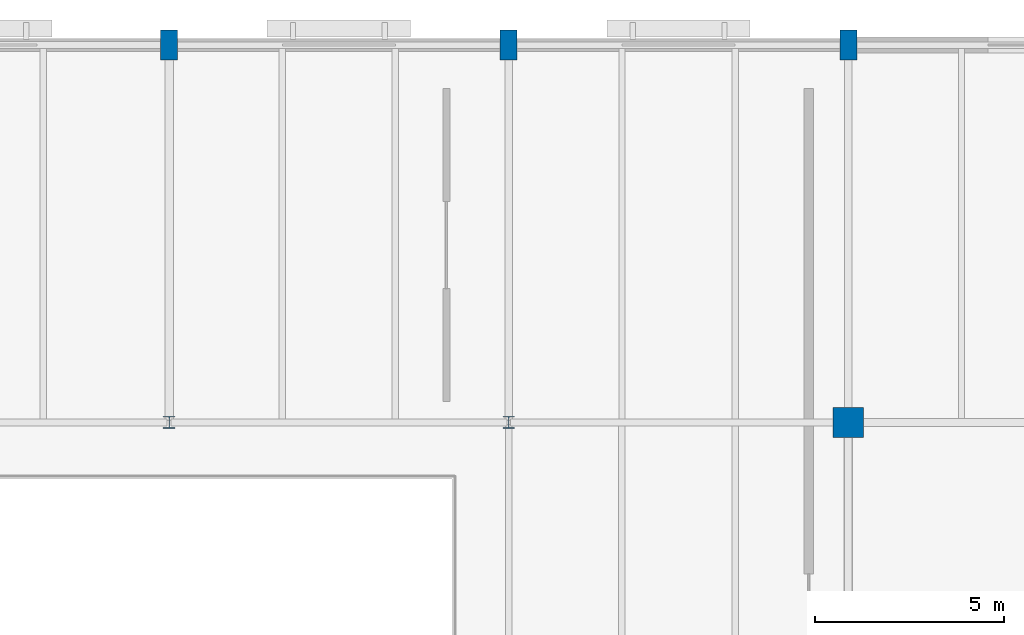
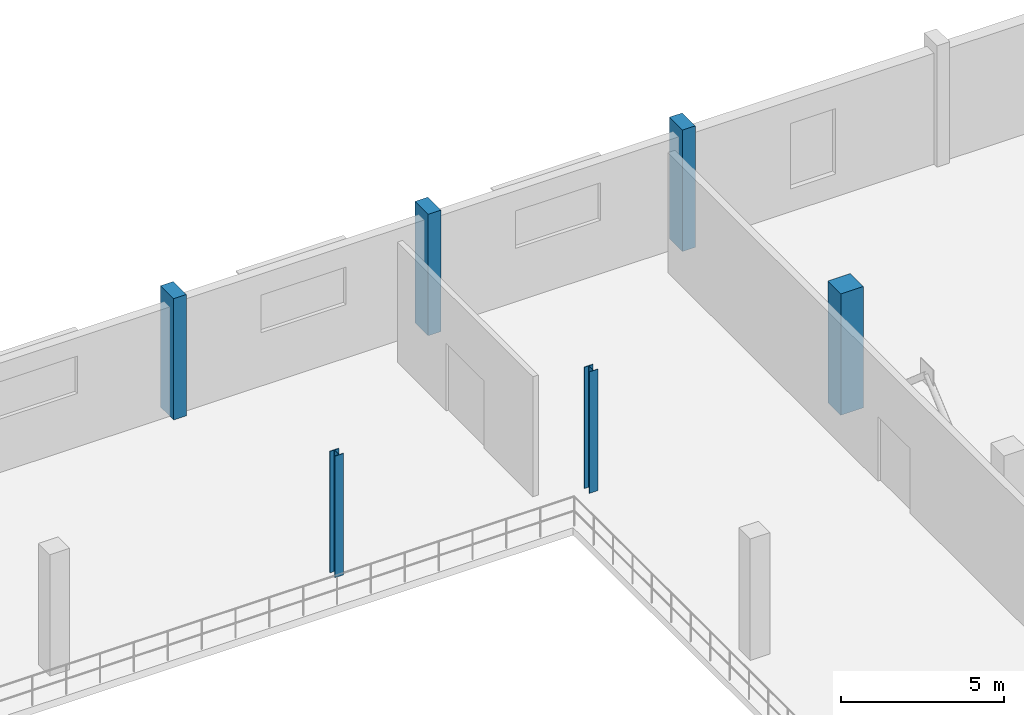
# One storey, part 15 of 93: 6 columns.
"""IFC4 building model written with IfcOpenShell, lengths in metres."""

from ifc_helpers import new_model, si_unit, direction, frame, origin, origin_2d, place, context, subcontext, project, spatial, rectangle, i_section, extrude, material, material_profile, profile_set, type_object, element, save


model = new_model("IFC4")

# Units and contexts
model_context = context("Model", 3, precision=1e-05, world=origin(), true_north=direction((0.0, 1.0)))
body_context = subcontext(model_context, "Body", "Model", "MODEL_VIEW")
ifc_project = project(units=[si_unit("LENGTHUNIT", "METRE"), si_unit("AREAUNIT", "SQUARE_METRE"), si_unit("VOLUMEUNIT", "CUBIC_METRE"), si_unit("PLANEANGLEUNIT", "RADIAN"), si_unit("MASSUNIT", "GRAM", prefix="KILO")], contexts=[model_context])

# Site, building, storey
site_placement = place(None, origin())
site = spatial("IfcSite", under=ifc_project, at=site_placement, CompositionType="ELEMENT")
building_placement = place(site_placement, origin())
building = spatial("IfcBuilding", under=site, at=building_placement, Name="Marnock Terrace Opera House", CompositionType="ELEMENT")
storey_placement = place(building_placement, frame((0.0, 0.0, 5.39990234375)))
storey = spatial("IfcBuildingStorey", under=building, at=storey_placement, Name="L01", CompositionType="ELEMENT", Elevation=5.39990234375)

# Columns
ifc_material_1 = material(Name="Concrete N40 (f'c = 40 MPa)", Category="concrete")
ifc_material_profile_1 = material_profile(ifc_material_1, rectangle(XDim=0.449951171875, YDim=0.800048828125, at=origin_2d()))
ifc_profile_set_1 = profile_set([ifc_material_profile_1], Name="Concrete N40 (f'c = 40 MPa)")
column_type_1 = type_object("IfcColumnType", Name="COL-PIL-800", PredefinedType="PILASTER", material=ifc_profile_set_1)
for number, where, z_axis, x_axis, name in (
    (1, (37.0, 114.0, 0.0), (0.0, 0.0, 1.0), (1.0, 0.0, 0.0), "L01 column at (37.0, 114.0)"),
    (2, (46.0, 114.0, 0.0), (0.0, 0.0, 1.0), (1.0, 0.0, 0.0), "L01 column at (46.0, 114.0)"),
    (3, (55.0, 114.0, 0.0), (0.0, 0.0, 1.0), (1.0, 0.0, 0.0), "L01 column at (55.0, 114.0)"),
):
    element("IfcColumn", number, at=place(storey_placement, frame(where, z_axis=z_axis, x_axis=x_axis)), inside=storey, type_object=column_type_1, Name=name, PredefinedType="PILASTER", context=body_context, shape_type="SweptSolid", body=[
        extrude(rectangle(XDim=0.449951171875, YDim=0.800048828125, at=origin_2d()), origin(), (0.0, 0.0, 1.0), 4.5400390625),
    ])
ifc_material_2 = material(Name="Concrete N50 (f'c = 50 MPa)", Category="concrete")
ifc_material_profile_2 = material_profile(ifc_material_2, rectangle(XDim=0.800048828125, YDim=0.800048828125, at=origin_2d()))
ifc_profile_set_2 = profile_set([ifc_material_profile_2], Name="Concrete N50 (f'c = 50 MPa)")
column_type_2 = type_object("IfcColumnType", Name="COL-RC800", PredefinedType="COLUMN", material=ifc_profile_set_2)
column_placement = place(storey_placement, frame((55.0, 104.0, 0.0), z_axis=(0.0, 0.0, 1.0), x_axis=(1.0, 0.0, 0.0)))
element("IfcColumn", 4, at=column_placement, inside=storey, type_object=column_type_2, Name="L01 column at (55.0, 104.0)", PredefinedType="COLUMN", context=body_context, shape_type="SweptSolid", body=[
    extrude(rectangle(XDim=0.800048828125, YDim=0.800048828125, at=origin_2d()), origin(), (0.0, 0.0, 1.0), 4.5400390625),
])
ifc_material_3 = material(Name="Steel Grade 350 (AS/NZS 3679.1)", Category="steel")
ifc_material_profile_3 = material_profile(ifc_material_3, i_section(OverallWidth=0.30908203125, OverallDepth=0.320556640625, WebThickness=0.013916015625, FlangeThickness=0.021728515625, FilletRadius=0.0166015625, at=origin_2d()))
ifc_profile_set_3 = profile_set([ifc_material_profile_3], Name="Steel Grade 350 (AS/NZS 3679.1)")
column_type_3 = type_object("IfcColumnType", Name="COL-UC310B", PredefinedType="COLUMN", material=ifc_profile_set_3)
for number, where, z_axis, x_axis, name in (
    (5, (37.0, 104.0, 0.0), (0.0, 0.0, 1.0), (1.0, 0.0, 0.0), "L01 column at (37.0, 104.0)"),
    (6, (46.0, 104.0, 0.0), (0.0, 0.0, 1.0), (1.0, 0.0, 0.0), "L01 column at (46.0, 104.0)"),
):
    element("IfcColumn", number, at=place(storey_placement, frame(where, z_axis=z_axis, x_axis=x_axis)), inside=storey, type_object=column_type_3, Name=name, PredefinedType="COLUMN", context=body_context, shape_type="SweptSolid", body=[
        extrude(i_section(OverallWidth=0.30908203125, OverallDepth=0.320556640625, WebThickness=0.013916015625, FlangeThickness=0.021728515625, FilletRadius=0.0166015625, at=origin_2d()), origin(), (0.0, 0.0, 1.0), 4.5400390625),
    ])

save(model, "model.ifc")
